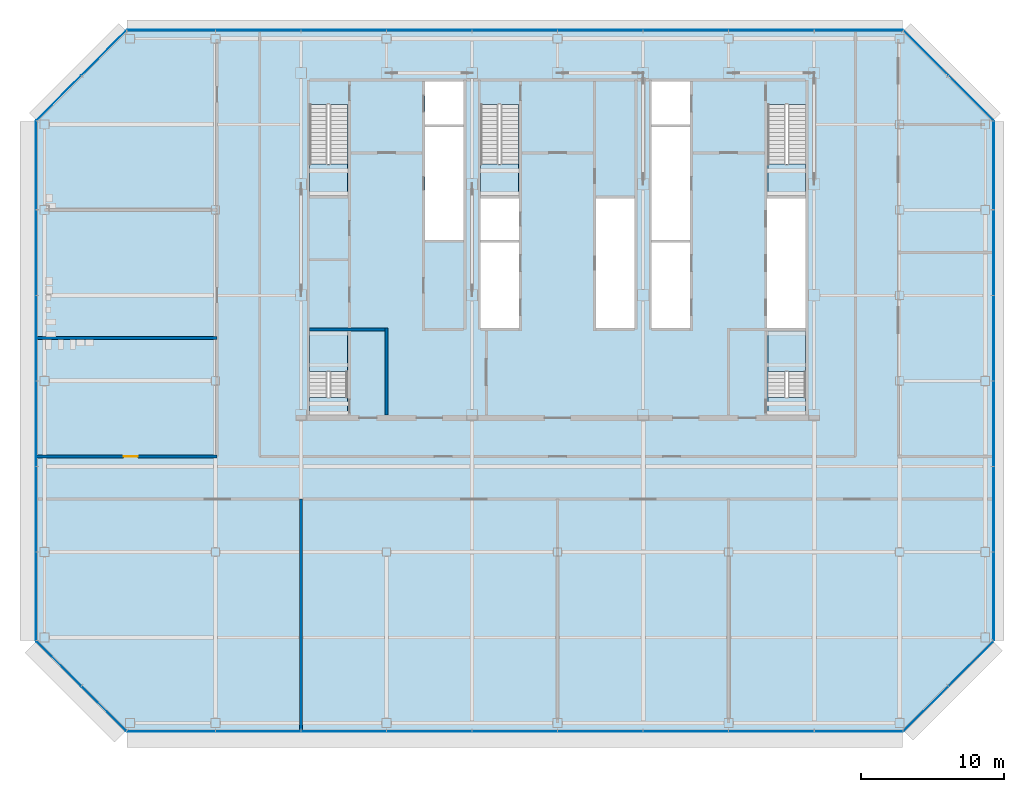
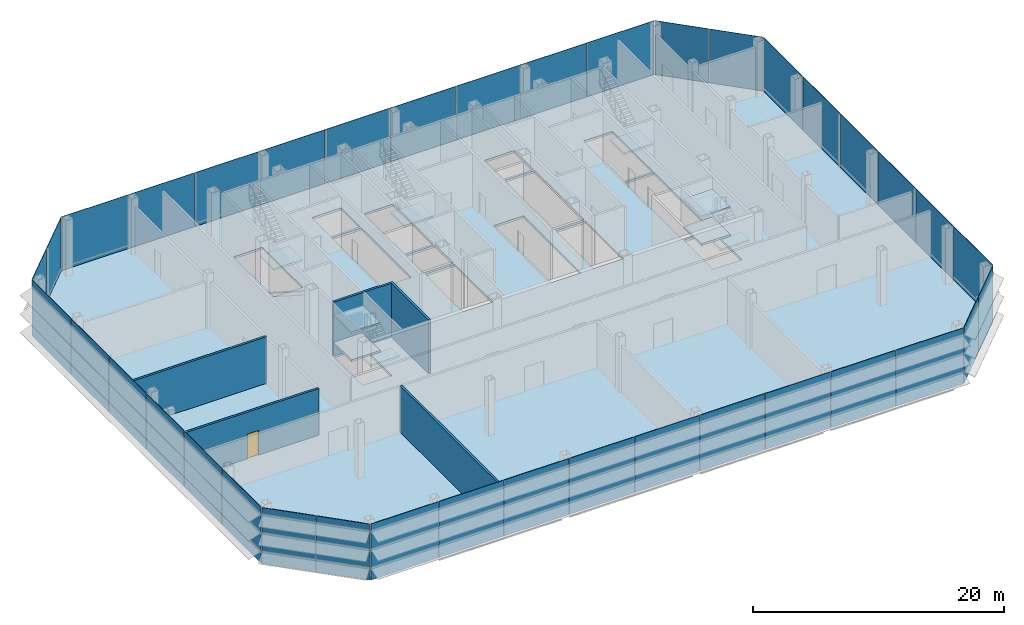
# One storey, part 17 of 25: 38 plates, 10 slabs, 5 walls, 1 door, 1 opening, 13 elements without a shape of their own.
"""IFC4 building model written with IfcOpenShell, lengths in metres."""

from ifc_helpers import new_model, si_unit, direction, frame, frame_2d, origin, origin_2d, place, context, subcontext, project, spatial, polyline, rectangle, outline, extrude, material, layer, layer_set, type_object, element, fill, aggregate, save


model = new_model("IFC4")

# Units and contexts
model_context = context("Model", 3, precision=1e-05, world=origin(), true_north=direction((0.0, 1.0)))
body_context = subcontext(model_context, "Body", "Model", "MODEL_VIEW")
ifc_project = project(units=[si_unit("LENGTHUNIT", "METRE"), si_unit("AREAUNIT", "SQUARE_METRE"), si_unit("VOLUMEUNIT", "CUBIC_METRE"), si_unit("PLANEANGLEUNIT", "RADIAN"), si_unit("MASSUNIT", "GRAM", prefix="KILO")], contexts=[model_context])

# Site, building, storey
site_placement = place(None, origin())
site = spatial("IfcSite", under=ifc_project, at=site_placement, CompositionType="ELEMENT")
building_placement = place(site_placement, origin())
building = spatial("IfcBuilding", under=site, at=building_placement, Name="Sorahane Residences", CompositionType="ELEMENT")
storey_placement = place(building_placement, frame((0.0, 0.0, 210.0)))
storey = spatial("IfcBuildingStorey", under=building, at=storey_placement, Name="L49", CompositionType="ELEMENT", Elevation=210.0)

# Slab
ifc_material_1 = material(Name="Concrete C35", Category="concrete")
ifc_layer_1 = layer(ifc_material_1, 0.219970703125)
ifc_layer_set_1 = layer_set([ifc_layer_1], Name="Composite floor slab 220 mm Concrete C35")
slab_type_1 = type_object("IfcSlabType", Name="Composite floor slab 220 mm Concrete C35", PredefinedType="FLOOR", material=ifc_layer_set_1)
slab_1_placement = place(storey_placement, frame((0.0, 0.0, -0.219970703125)))
element("IfcSlab", 1, at=slab_1_placement, inside=storey, type_object=slab_type_1, Name="Slab L49", PredefinedType="FLOOR", context=body_context, shape_type="SweptSolid", body=[
    extrude(outline(polyline([(-6.24853515625, -0.60009765625), (-12.60009765625, 5.75146484375), (-12.60009765625, 42.24853515625), (-6.24853515625, 48.60009765625), (48.24853515625, 48.60009765625), (54.60009765625, 42.24853515625), (54.60009765625, 5.75146484375), (48.24853515625, -0.60009765625), (-6.24853515625, -0.60009765625)]), holes=[polyline([(18.60009765625, 27.699951171875), (21.300048828125, 27.699951171875), (21.300048828125, 33.699951171875), (18.60009765625, 33.699951171875), (18.60009765625, 27.699951171875)]), polyline([(38.699951171875, 27.699951171875), (41.39990234375, 27.699951171875), (41.39990234375, 36.800048828125), (38.699951171875, 36.800048828125), (38.699951171875, 27.699951171875)]), polyline([(30.60009765625, 27.699951171875), (33.300048828125, 27.699951171875), (33.300048828125, 33.699951171875), (30.60009765625, 33.699951171875), (30.60009765625, 27.699951171875)]), polyline([(30.60009765625, 42.0), (33.300048828125, 42.0), (33.300048828125, 45.0), (30.60009765625, 45.0), (30.60009765625, 42.0)]), polyline([(14.699951171875, 42.0), (17.39990234375, 42.0), (17.39990234375, 45.0), (14.699951171875, 45.0), (14.699951171875, 42.0)]), polyline([(6.60009765625, 43.39990234375), (6.60009765625, 37.0), (9.25, 37.0), (9.25, 43.39990234375), (6.60009765625, 43.39990234375)]), polyline([(38.75, 43.39990234375), (38.75, 37.0), (41.39990234375, 37.0), (41.39990234375, 43.39990234375), (38.75, 43.39990234375)]), polyline([(18.60009765625, 43.39990234375), (18.60009765625, 37.0), (21.25, 37.0), (21.25, 43.39990234375), (18.60009765625, 43.39990234375)]), polyline([(9.25, 22.85009765625), (9.25, 27.5), (6.60009765625, 27.5), (6.60009765625, 22.85009765625), (9.25, 22.85009765625)]), polyline([(41.39990234375, 22.85009765625), (41.39990234375, 27.5), (38.75, 27.5), (38.75, 22.85009765625), (41.39990234375, 22.85009765625)]), polyline([(14.699951171875, 33.89990234375), (17.39990234375, 33.89990234375), (17.39990234375, 41.800048828125), (14.699951171875, 41.800048828125), (14.699951171875, 33.89990234375)]), polyline([(30.60009765625, 33.89990234375), (33.300048828125, 33.89990234375), (33.300048828125, 41.800048828125), (30.60009765625, 41.800048828125), (30.60009765625, 33.89990234375)]), polyline([(18.60009765625, 33.89990234375), (21.300048828125, 33.89990234375), (21.300048828125, 36.800048828125), (18.60009765625, 36.800048828125), (18.60009765625, 33.89990234375)]), polyline([(26.699951171875, 27.699951171875), (29.39990234375, 27.699951171875), (29.39990234375, 36.800048828125), (26.699951171875, 36.800048828125), (26.699951171875, 27.699951171875)])]), origin(), (0.0, 0.0, 1.0), 0.219970703125),
])

# Curtain wall, plates
ifc_material_2 = material(Name="Dark low-e glass and black anodised aluminium", Category="aluminium")
curtain_wall_type = type_object("IfcCurtainWallType", Name="Curtain wall CW-4 Sky floor frameless wall", PredefinedType="NOTDEFINED", material=ifc_material_2)
curtain_wall_1_placement = place(storey_placement, origin())
curtain_wall_1 = element("IfcCurtainWall", 2, at=curtain_wall_1_placement, inside=storey, type_object=curtain_wall_type, Name="CW-4 curtain wall L49 S1", PredefinedType="NOTDEFINED")
ifc_material_3 = material(Name="Dark low-e glass with black ceramic frit", Category="glass")
ifc_layer_2 = layer(ifc_material_3, 0.0400390625)
ifc_layer_set_2 = layer_set([ifc_layer_2], Name="Curtain wall glass panel dark low-e frameless with black frit band")
plate_type = type_object("IfcPlateType", Name="Curtain wall glass panel dark low-e frameless with black frit band", PredefinedType="CURTAIN_PANEL", material=ifc_layer_set_2)
plate_1_placement = place(storey_placement, frame((-3.11181640625, -0.60009765625, -0.219970703125), z_axis=(0.0, 0.0, 1.0), x_axis=(1.0, 0.0, 0.0)))
plate_1 = element("IfcPlate", 3, at=plate_1_placement, type_object=plate_type, Name="CW-4 glass panel L49 S1.1", PredefinedType="CURTAIN_PANEL", context=body_context, shape_type="SweptSolid", body=[
    extrude(rectangle(XDim=6.173583984375, YDim=0.0400390625, at=origin_2d()), origin(), (0.0, 0.0, 1.0), 5.43994140625),
])
plate_2_placement = place(storey_placement, frame((3.0, -0.60009765625, -0.219970703125), z_axis=(0.0, 0.0, 1.0), x_axis=(1.0, 0.0, 0.0)))
plate_2 = element("IfcPlate", 4, at=plate_2_placement, type_object=plate_type, Name="CW-4 glass panel L49 S1.2", PredefinedType="CURTAIN_PANEL", context=body_context, shape_type="SweptSolid", body=[
    extrude(rectangle(XDim=5.949951171875, YDim=0.0400390625, at=origin_2d()), origin(), (0.0, 0.0, 1.0), 5.43994140625),
])
plate_3_placement = place(storey_placement, frame((9.0, -0.60009765625, -0.219970703125), z_axis=(0.0, 0.0, 1.0), x_axis=(1.0, 0.0, 0.0)))
plate_3 = element("IfcPlate", 5, at=plate_3_placement, type_object=plate_type, Name="CW-4 glass panel L49 S1.3", PredefinedType="CURTAIN_PANEL", context=body_context, shape_type="SweptSolid", body=[
    extrude(rectangle(XDim=5.949951171875, YDim=0.0400390625, at=origin_2d()), origin(), (0.0, 0.0, 1.0), 5.43994140625),
])
plate_4_placement = place(storey_placement, frame((15.0, -0.60009765625, -0.219970703125), z_axis=(0.0, 0.0, 1.0), x_axis=(1.0, 0.0, 0.0)))
plate_4 = element("IfcPlate", 6, at=plate_4_placement, type_object=plate_type, Name="CW-4 glass panel L49 S1.4", PredefinedType="CURTAIN_PANEL", context=body_context, shape_type="SweptSolid", body=[
    extrude(rectangle(XDim=5.949951171875, YDim=0.0400390625, at=origin_2d()), origin(), (0.0, 0.0, 1.0), 5.43994140625),
])
plate_5_placement = place(storey_placement, frame((21.0, -0.60009765625, -0.219970703125), z_axis=(0.0, 0.0, 1.0), x_axis=(1.0, 0.0, 0.0)))
plate_5 = element("IfcPlate", 7, at=plate_5_placement, type_object=plate_type, Name="CW-4 glass panel L49 S1.5", PredefinedType="CURTAIN_PANEL", context=body_context, shape_type="SweptSolid", body=[
    extrude(rectangle(XDim=5.949951171875, YDim=0.0400390625, at=origin_2d()), origin(), (0.0, 0.0, 1.0), 5.43994140625),
])
plate_6_placement = place(storey_placement, frame((27.0, -0.60009765625, -0.219970703125), z_axis=(0.0, 0.0, 1.0), x_axis=(1.0, 0.0, 0.0)))
plate_6 = element("IfcPlate", 8, at=plate_6_placement, type_object=plate_type, Name="CW-4 glass panel L49 S1.6", PredefinedType="CURTAIN_PANEL", context=body_context, shape_type="SweptSolid", body=[
    extrude(rectangle(XDim=5.949951171875, YDim=0.0400390625, at=origin_2d()), origin(), (0.0, 0.0, 1.0), 5.43994140625),
])
plate_7_placement = place(storey_placement, frame((33.0, -0.60009765625, -0.219970703125), z_axis=(0.0, 0.0, 1.0), x_axis=(1.0, 0.0, 0.0)))
plate_7 = element("IfcPlate", 9, at=plate_7_placement, type_object=plate_type, Name="CW-4 glass panel L49 S1.7", PredefinedType="CURTAIN_PANEL", context=body_context, shape_type="SweptSolid", body=[
    extrude(rectangle(XDim=5.949951171875, YDim=0.0400390625, at=origin_2d()), origin(), (0.0, 0.0, 1.0), 5.43994140625),
])
plate_8_placement = place(storey_placement, frame((39.0, -0.60009765625, -0.219970703125), z_axis=(0.0, 0.0, 1.0), x_axis=(1.0, 0.0, 0.0)))
plate_8 = element("IfcPlate", 10, at=plate_8_placement, type_object=plate_type, Name="CW-4 glass panel L49 S1.8", PredefinedType="CURTAIN_PANEL", context=body_context, shape_type="SweptSolid", body=[
    extrude(rectangle(XDim=5.949951171875, YDim=0.0400390625, at=origin_2d()), origin(), (0.0, 0.0, 1.0), 5.43994140625),
])
plate_9_placement = place(storey_placement, frame((45.11181640625, -0.60009765625, -0.219970703125), z_axis=(0.0, 0.0, 1.0), x_axis=(1.0, 0.0, 0.0)))
plate_9 = element("IfcPlate", 11, at=plate_9_placement, type_object=plate_type, Name="CW-4 glass panel L49 S1.9", PredefinedType="CURTAIN_PANEL", context=body_context, shape_type="SweptSolid", body=[
    extrude(rectangle(XDim=6.173583984375, YDim=0.0400390625, at=origin_2d()), origin(), (0.0, 0.0, 1.0), 5.43994140625),
])
aggregate(curtain_wall_1, [plate_1, plate_2, plate_3, plate_4, plate_5, plate_6, plate_7, plate_8, plate_9])

curtain_wall_2_placement = place(storey_placement, origin())
curtain_wall_2 = element("IfcCurtainWall", 12, at=curtain_wall_2_placement, inside=storey, type_object=curtain_wall_type, Name="CW-4 curtain wall L49 SE1", PredefinedType="NOTDEFINED")
plate_10_placement = place(storey_placement, frame((49.84521484375, 0.996826171875, -0.219970703125), z_axis=(0.0, 0.0, 1.0), x_axis=(0.707106781187, 0.707106781187, 0.0)))
plate_10 = element("IfcPlate", 13, at=plate_10_placement, type_object=plate_type, Name="CW-4 glass panel L49 SE1.1", PredefinedType="CURTAIN_PANEL", context=body_context, shape_type="SweptSolid", body=[
    extrude(rectangle(XDim=4.416259765625, YDim=0.0400390625, at=origin_2d()), origin(), (0.0, 0.0, 1.0), 5.43994140625),
])
plate_11_placement = place(storey_placement, frame((53.003173828125, 4.15478515625, -0.219970703125), z_axis=(0.0, 0.0, 1.0), x_axis=(0.707106781187, 0.707106781187, 0.0)))
plate_11 = element("IfcPlate", 14, at=plate_11_placement, type_object=plate_type, Name="CW-4 glass panel L49 SE1.2", PredefinedType="CURTAIN_PANEL", context=body_context, shape_type="SweptSolid", body=[
    extrude(rectangle(XDim=4.416259765625, YDim=0.0400390625, at=origin_2d()), origin(), (0.0, 0.0, 1.0), 5.43994140625),
])
aggregate(curtain_wall_2, [plate_10, plate_11])

curtain_wall_3_placement = place(storey_placement, origin())
curtain_wall_3 = element("IfcCurtainWall", 15, at=curtain_wall_3_placement, inside=storey, type_object=curtain_wall_type, Name="CW-4 curtain wall L49 E1", PredefinedType="NOTDEFINED")
plate_12_placement = place(storey_placement, frame((54.60009765625, 8.88818359375, -0.219970703125), z_axis=(0.0, 0.0, 1.0), x_axis=(0.0, 1.0, 0.0)))
plate_12 = element("IfcPlate", 16, at=plate_12_placement, type_object=plate_type, Name="CW-4 glass panel L49 E1.1", PredefinedType="CURTAIN_PANEL", context=body_context, shape_type="SweptSolid", body=[
    extrude(rectangle(XDim=6.173583984375, YDim=0.0400390625, at=origin_2d()), origin(), (0.0, 0.0, 1.0), 5.43994140625),
])
plate_13_placement = place(storey_placement, frame((54.60009765625, 15.0, -0.219970703125), z_axis=(0.0, 0.0, 1.0), x_axis=(0.0, 1.0, 0.0)))
plate_13 = element("IfcPlate", 17, at=plate_13_placement, type_object=plate_type, Name="CW-4 glass panel L49 E1.2", PredefinedType="CURTAIN_PANEL", context=body_context, shape_type="SweptSolid", body=[
    extrude(rectangle(XDim=5.949951171875, YDim=0.0400390625, at=origin_2d()), origin(), (0.0, 0.0, 1.0), 5.43994140625),
])
plate_14_placement = place(storey_placement, frame((54.60009765625, 21.0, -0.219970703125), z_axis=(0.0, 0.0, 1.0), x_axis=(0.0, 1.0, 0.0)))
plate_14 = element("IfcPlate", 18, at=plate_14_placement, type_object=plate_type, Name="CW-4 glass panel L49 E1.3", PredefinedType="CURTAIN_PANEL", context=body_context, shape_type="SweptSolid", body=[
    extrude(rectangle(XDim=5.949951171875, YDim=0.0400390625, at=origin_2d()), origin(), (0.0, 0.0, 1.0), 5.43994140625),
])
plate_15_placement = place(storey_placement, frame((54.60009765625, 27.0, -0.219970703125), z_axis=(0.0, 0.0, 1.0), x_axis=(0.0, 1.0, 0.0)))
plate_15 = element("IfcPlate", 19, at=plate_15_placement, type_object=plate_type, Name="CW-4 glass panel L49 E1.4", PredefinedType="CURTAIN_PANEL", context=body_context, shape_type="SweptSolid", body=[
    extrude(rectangle(XDim=5.949951171875, YDim=0.0400390625, at=origin_2d()), origin(), (0.0, 0.0, 1.0), 5.43994140625),
])
plate_16_placement = place(storey_placement, frame((54.60009765625, 33.0, -0.219970703125), z_axis=(0.0, 0.0, 1.0), x_axis=(0.0, 1.0, 0.0)))
plate_16 = element("IfcPlate", 20, at=plate_16_placement, type_object=plate_type, Name="CW-4 glass panel L49 E1.5", PredefinedType="CURTAIN_PANEL", context=body_context, shape_type="SweptSolid", body=[
    extrude(rectangle(XDim=5.949951171875, YDim=0.0400390625, at=origin_2d()), origin(), (0.0, 0.0, 1.0), 5.43994140625),
])
plate_17_placement = place(storey_placement, frame((54.60009765625, 39.11181640625, -0.219970703125), z_axis=(0.0, 0.0, 1.0), x_axis=(0.0, 1.0, 0.0)))
plate_17 = element("IfcPlate", 21, at=plate_17_placement, type_object=plate_type, Name="CW-4 glass panel L49 E1.6", PredefinedType="CURTAIN_PANEL", context=body_context, shape_type="SweptSolid", body=[
    extrude(rectangle(XDim=6.173583984375, YDim=0.0400390625, at=origin_2d()), origin(), (0.0, 0.0, 1.0), 5.43994140625),
])
aggregate(curtain_wall_3, [plate_12, plate_13, plate_14, plate_15, plate_16, plate_17])

curtain_wall_4_placement = place(storey_placement, origin())
curtain_wall_4 = element("IfcCurtainWall", 22, at=curtain_wall_4_placement, inside=storey, type_object=curtain_wall_type, Name="CW-4 curtain wall L49 NE1", PredefinedType="NOTDEFINED")
plate_18_placement = place(storey_placement, frame((53.003173828125, 43.84521484375, -0.219970703125), z_axis=(0.0, 0.0, 1.0), x_axis=(-0.707106781187, 0.707106781187, 0.0)))
plate_18 = element("IfcPlate", 23, at=plate_18_placement, type_object=plate_type, Name="CW-4 glass panel L49 NE1.1", PredefinedType="CURTAIN_PANEL", context=body_context, shape_type="SweptSolid", body=[
    extrude(rectangle(XDim=4.416259765625, YDim=0.0400390625, at=origin_2d()), origin(), (0.0, 0.0, 1.0), 5.43994140625),
])
plate_19_placement = place(storey_placement, frame((49.84521484375, 47.003173828125, -0.219970703125), z_axis=(0.0, 0.0, 1.0), x_axis=(-0.707106781187, 0.707106781187, 0.0)))
plate_19 = element("IfcPlate", 24, at=plate_19_placement, type_object=plate_type, Name="CW-4 glass panel L49 NE1.2", PredefinedType="CURTAIN_PANEL", context=body_context, shape_type="SweptSolid", body=[
    extrude(rectangle(XDim=4.416259765625, YDim=0.0400390625, at=origin_2d()), origin(), (0.0, 0.0, 1.0), 5.43994140625),
])
aggregate(curtain_wall_4, [plate_18, plate_19])

curtain_wall_5_placement = place(storey_placement, origin())
curtain_wall_5 = element("IfcCurtainWall", 25, at=curtain_wall_5_placement, inside=storey, type_object=curtain_wall_type, Name="CW-4 curtain wall L49 N1", PredefinedType="NOTDEFINED")
plate_20_placement = place(storey_placement, frame((45.11181640625, 48.60009765625, -0.219970703125), z_axis=(0.0, 0.0, 1.0), x_axis=(-1.0, 0.0, 0.0)))
plate_20 = element("IfcPlate", 26, at=plate_20_placement, type_object=plate_type, Name="CW-4 glass panel L49 N1.1", PredefinedType="CURTAIN_PANEL", context=body_context, shape_type="SweptSolid", body=[
    extrude(rectangle(XDim=6.173583984375, YDim=0.0400390625, at=origin_2d()), origin(), (0.0, 0.0, 1.0), 5.43994140625),
])
plate_21_placement = place(storey_placement, frame((39.0, 48.60009765625, -0.219970703125), z_axis=(0.0, 0.0, 1.0), x_axis=(-1.0, 0.0, 0.0)))
plate_21 = element("IfcPlate", 27, at=plate_21_placement, type_object=plate_type, Name="CW-4 glass panel L49 N1.2", PredefinedType="CURTAIN_PANEL", context=body_context, shape_type="SweptSolid", body=[
    extrude(rectangle(XDim=5.949951171875, YDim=0.0400390625, at=origin_2d()), origin(), (0.0, 0.0, 1.0), 5.43994140625),
])
plate_22_placement = place(storey_placement, frame((33.0, 48.60009765625, -0.219970703125), z_axis=(0.0, 0.0, 1.0), x_axis=(-1.0, 0.0, 0.0)))
plate_22 = element("IfcPlate", 28, at=plate_22_placement, type_object=plate_type, Name="CW-4 glass panel L49 N1.3", PredefinedType="CURTAIN_PANEL", context=body_context, shape_type="SweptSolid", body=[
    extrude(rectangle(XDim=5.949951171875, YDim=0.0400390625, at=origin_2d()), origin(), (0.0, 0.0, 1.0), 5.43994140625),
])
plate_23_placement = place(storey_placement, frame((27.0, 48.60009765625, -0.219970703125), z_axis=(0.0, 0.0, 1.0), x_axis=(-1.0, 0.0, 0.0)))
plate_23 = element("IfcPlate", 29, at=plate_23_placement, type_object=plate_type, Name="CW-4 glass panel L49 N1.4", PredefinedType="CURTAIN_PANEL", context=body_context, shape_type="SweptSolid", body=[
    extrude(rectangle(XDim=5.949951171875, YDim=0.0400390625, at=origin_2d()), origin(), (0.0, 0.0, 1.0), 5.43994140625),
])
plate_24_placement = place(storey_placement, frame((21.0, 48.60009765625, -0.219970703125), z_axis=(0.0, 0.0, 1.0), x_axis=(-1.0, 0.0, 0.0)))
plate_24 = element("IfcPlate", 30, at=plate_24_placement, type_object=plate_type, Name="CW-4 glass panel L49 N1.5", PredefinedType="CURTAIN_PANEL", context=body_context, shape_type="SweptSolid", body=[
    extrude(rectangle(XDim=5.949951171875, YDim=0.0400390625, at=origin_2d()), origin(), (0.0, 0.0, 1.0), 5.43994140625),
])
plate_25_placement = place(storey_placement, frame((15.0, 48.60009765625, -0.219970703125), z_axis=(0.0, 0.0, 1.0), x_axis=(-1.0, 0.0, 0.0)))
plate_25 = element("IfcPlate", 31, at=plate_25_placement, type_object=plate_type, Name="CW-4 glass panel L49 N1.6", PredefinedType="CURTAIN_PANEL", context=body_context, shape_type="SweptSolid", body=[
    extrude(rectangle(XDim=5.949951171875, YDim=0.0400390625, at=origin_2d()), origin(), (0.0, 0.0, 1.0), 5.43994140625),
])
plate_26_placement = place(storey_placement, frame((9.0, 48.60009765625, -0.219970703125), z_axis=(0.0, 0.0, 1.0), x_axis=(-1.0, 0.0, 0.0)))
plate_26 = element("IfcPlate", 32, at=plate_26_placement, type_object=plate_type, Name="CW-4 glass panel L49 N1.7", PredefinedType="CURTAIN_PANEL", context=body_context, shape_type="SweptSolid", body=[
    extrude(rectangle(XDim=5.949951171875, YDim=0.0400390625, at=origin_2d()), origin(), (0.0, 0.0, 1.0), 5.43994140625),
])
plate_27_placement = place(storey_placement, frame((3.0, 48.60009765625, -0.219970703125), z_axis=(0.0, 0.0, 1.0), x_axis=(-1.0, 0.0, 0.0)))
plate_27 = element("IfcPlate", 33, at=plate_27_placement, type_object=plate_type, Name="CW-4 glass panel L49 N1.8", PredefinedType="CURTAIN_PANEL", context=body_context, shape_type="SweptSolid", body=[
    extrude(rectangle(XDim=5.949951171875, YDim=0.0400390625, at=origin_2d()), origin(), (0.0, 0.0, 1.0), 5.43994140625),
])
plate_28_placement = place(storey_placement, frame((-3.11181640625, 48.60009765625, -0.219970703125), z_axis=(0.0, 0.0, 1.0), x_axis=(-1.0, 0.0, 0.0)))
plate_28 = element("IfcPlate", 34, at=plate_28_placement, type_object=plate_type, Name="CW-4 glass panel L49 N1.9", PredefinedType="CURTAIN_PANEL", context=body_context, shape_type="SweptSolid", body=[
    extrude(rectangle(XDim=6.173583984375, YDim=0.0400390625, at=origin_2d()), origin(), (0.0, 0.0, 1.0), 5.43994140625),
])
aggregate(curtain_wall_5, [plate_20, plate_21, plate_22, plate_23, plate_24, plate_25, plate_26, plate_27, plate_28])

curtain_wall_6_placement = place(storey_placement, origin())
curtain_wall_6 = element("IfcCurtainWall", 35, at=curtain_wall_6_placement, inside=storey, type_object=curtain_wall_type, Name="CW-4 curtain wall L49 NW1", PredefinedType="NOTDEFINED")
plate_29_placement = place(storey_placement, frame((-7.84521484375, 47.003173828125, -0.219970703125), z_axis=(0.0, 0.0, 1.0), x_axis=(-0.707106781187, -0.707106781187, 0.0)))
plate_29 = element("IfcPlate", 36, at=plate_29_placement, type_object=plate_type, Name="CW-4 glass panel L49 NW1.1", PredefinedType="CURTAIN_PANEL", context=body_context, shape_type="SweptSolid", body=[
    extrude(rectangle(XDim=4.416259765625, YDim=0.0400390625, at=origin_2d()), origin(), (0.0, 0.0, 1.0), 5.43994140625),
])
plate_30_placement = place(storey_placement, frame((-11.003173828125, 43.84521484375, -0.219970703125), z_axis=(0.0, 0.0, 1.0), x_axis=(-0.707106781187, -0.707106781187, 0.0)))
plate_30 = element("IfcPlate", 37, at=plate_30_placement, type_object=plate_type, Name="CW-4 glass panel L49 NW1.2", PredefinedType="CURTAIN_PANEL", context=body_context, shape_type="SweptSolid", body=[
    extrude(rectangle(XDim=4.416259765625, YDim=0.0400390625, at=origin_2d()), origin(), (0.0, 0.0, 1.0), 5.43994140625),
])
aggregate(curtain_wall_6, [plate_29, plate_30])

curtain_wall_7_placement = place(storey_placement, origin())
curtain_wall_7 = element("IfcCurtainWall", 38, at=curtain_wall_7_placement, inside=storey, type_object=curtain_wall_type, Name="CW-4 curtain wall L49 W1", PredefinedType="NOTDEFINED")
plate_31_placement = place(storey_placement, frame((-12.60009765625, 39.11181640625, -0.219970703125), z_axis=(0.0, 0.0, 1.0), x_axis=(0.0, -1.0, 0.0)))
plate_31 = element("IfcPlate", 39, at=plate_31_placement, type_object=plate_type, Name="CW-4 glass panel L49 W1.1", PredefinedType="CURTAIN_PANEL", context=body_context, shape_type="SweptSolid", body=[
    extrude(rectangle(XDim=6.173583984375, YDim=0.0400390625, at=origin_2d()), origin(), (0.0, 0.0, 1.0), 5.43994140625),
])
plate_32_placement = place(storey_placement, frame((-12.60009765625, 33.0, -0.219970703125), z_axis=(0.0, 0.0, 1.0), x_axis=(0.0, -1.0, 0.0)))
plate_32 = element("IfcPlate", 40, at=plate_32_placement, type_object=plate_type, Name="CW-4 glass panel L49 W1.2", PredefinedType="CURTAIN_PANEL", context=body_context, shape_type="SweptSolid", body=[
    extrude(rectangle(XDim=5.949951171875, YDim=0.0400390625, at=origin_2d()), origin(), (0.0, 0.0, 1.0), 5.43994140625),
])
plate_33_placement = place(storey_placement, frame((-12.60009765625, 27.0, -0.219970703125), z_axis=(0.0, 0.0, 1.0), x_axis=(0.0, -1.0, 0.0)))
plate_33 = element("IfcPlate", 41, at=plate_33_placement, type_object=plate_type, Name="CW-4 glass panel L49 W1.3", PredefinedType="CURTAIN_PANEL", context=body_context, shape_type="SweptSolid", body=[
    extrude(rectangle(XDim=5.949951171875, YDim=0.0400390625, at=origin_2d()), origin(), (0.0, 0.0, 1.0), 5.43994140625),
])
plate_34_placement = place(storey_placement, frame((-12.60009765625, 21.0, -0.219970703125), z_axis=(0.0, 0.0, 1.0), x_axis=(0.0, -1.0, 0.0)))
plate_34 = element("IfcPlate", 42, at=plate_34_placement, type_object=plate_type, Name="CW-4 glass panel L49 W1.4", PredefinedType="CURTAIN_PANEL", context=body_context, shape_type="SweptSolid", body=[
    extrude(rectangle(XDim=5.949951171875, YDim=0.0400390625, at=origin_2d()), origin(), (0.0, 0.0, 1.0), 5.43994140625),
])
plate_35_placement = place(storey_placement, frame((-12.60009765625, 15.0, -0.219970703125), z_axis=(0.0, 0.0, 1.0), x_axis=(0.0, -1.0, 0.0)))
plate_35 = element("IfcPlate", 43, at=plate_35_placement, type_object=plate_type, Name="CW-4 glass panel L49 W1.5", PredefinedType="CURTAIN_PANEL", context=body_context, shape_type="SweptSolid", body=[
    extrude(rectangle(XDim=5.949951171875, YDim=0.0400390625, at=origin_2d()), origin(), (0.0, 0.0, 1.0), 5.43994140625),
])
plate_36_placement = place(storey_placement, frame((-12.60009765625, 8.88818359375, -0.219970703125), z_axis=(0.0, 0.0, 1.0), x_axis=(0.0, -1.0, 0.0)))
plate_36 = element("IfcPlate", 44, at=plate_36_placement, type_object=plate_type, Name="CW-4 glass panel L49 W1.6", PredefinedType="CURTAIN_PANEL", context=body_context, shape_type="SweptSolid", body=[
    extrude(rectangle(XDim=6.173583984375, YDim=0.0400390625, at=origin_2d()), origin(), (0.0, 0.0, 1.0), 5.43994140625),
])
aggregate(curtain_wall_7, [plate_31, plate_32, plate_33, plate_34, plate_35, plate_36])

curtain_wall_8_placement = place(storey_placement, origin())
curtain_wall_8 = element("IfcCurtainWall", 45, at=curtain_wall_8_placement, inside=storey, type_object=curtain_wall_type, Name="CW-4 curtain wall L49 SW1", PredefinedType="NOTDEFINED")
plate_37_placement = place(storey_placement, frame((-11.003173828125, 4.15478515625, -0.219970703125), z_axis=(0.0, 0.0, 1.0), x_axis=(0.707106781187, -0.707106781187, 0.0)))
plate_37 = element("IfcPlate", 46, at=plate_37_placement, type_object=plate_type, Name="CW-4 glass panel L49 SW1.1", PredefinedType="CURTAIN_PANEL", context=body_context, shape_type="SweptSolid", body=[
    extrude(rectangle(XDim=4.416259765625, YDim=0.0400390625, at=origin_2d()), origin(), (0.0, 0.0, 1.0), 5.43994140625),
])
plate_38_placement = place(storey_placement, frame((-7.84521484375, 0.996826171875, -0.219970703125), z_axis=(0.0, 0.0, 1.0), x_axis=(0.707106781187, -0.707106781187, 0.0)))
plate_38 = element("IfcPlate", 47, at=plate_38_placement, type_object=plate_type, Name="CW-4 glass panel L49 SW1.2", PredefinedType="CURTAIN_PANEL", context=body_context, shape_type="SweptSolid", body=[
    extrude(rectangle(XDim=4.416259765625, YDim=0.0400390625, at=origin_2d()), origin(), (0.0, 0.0, 1.0), 5.43994140625),
])
aggregate(curtain_wall_8, [plate_37, plate_38])

# Stair, slab
ifc_material_4 = material(Name="Concrete C40", Category="concrete")
stair_type = type_object("IfcStairType", Name="Dog-leg stair 1250 Concrete C40", PredefinedType="HALF_TURN_STAIR", material=ifc_material_4)
stair_1_placement = place(storey_placement, origin())
stair_1 = element("IfcStair", 48, at=stair_1_placement, inside=storey, type_object=stair_type, Name="L49 Stair S1", PredefinedType="HALF_TURN_STAIR")
ifc_material_5 = material(Name="Concrete C40", Category="concrete")
ifc_layer_3 = layer(ifc_material_5, 0.199951171875)
ifc_layer_set_3 = layer_set([ifc_layer_3], Name="Stair landing 200 Concrete C40")
slab_type_2 = type_object("IfcSlabType", Name="Stair landing 200 Concrete C40", PredefinedType="LANDING", material=ifc_layer_set_3)
slab_2_placement = place(storey_placement, frame((0.0, 0.0, 2.5)))
slab_2 = element("IfcSlab", 49, at=slab_2_placement, type_object=slab_type_2, Name="S1 landing 1", PredefinedType="LANDING", context=body_context, shape_type="SweptSolid", body=[
    extrude(outline(polyline([(6.60009765625, 39.199951171875), (6.60009765625, 37.0), (9.25, 37.0), (9.25, 39.199951171875), (6.60009765625, 39.199951171875)])), origin(), (0.0, 0.0, 1.0), 0.199951171875),
])
aggregate(stair_1, [slab_2])

stair_2_placement = place(storey_placement, origin())
stair_2 = element("IfcStair", 50, at=stair_2_placement, inside=storey, type_object=stair_type, Name="L49 Stair S2", PredefinedType="HALF_TURN_STAIR")
slab_3_placement = place(storey_placement, frame((0.0, 0.0, 2.5)))
slab_3 = element("IfcSlab", 51, at=slab_3_placement, type_object=slab_type_2, Name="S2 landing 1", PredefinedType="LANDING", context=body_context, shape_type="SweptSolid", body=[
    extrude(outline(polyline([(38.75, 39.199951171875), (38.75, 37.0), (41.39990234375, 37.0), (41.39990234375, 39.199951171875), (38.75, 39.199951171875)])), origin(), (0.0, 0.0, 1.0), 0.199951171875),
])
aggregate(stair_2, [slab_3])

stair_3_placement = place(storey_placement, origin())
stair_3 = element("IfcStair", 52, at=stair_3_placement, inside=storey, type_object=stair_type, Name="L49 Stair S3", PredefinedType="HALF_TURN_STAIR")
slab_4_placement = place(storey_placement, frame((0.0, 0.0, 2.5)))
slab_4 = element("IfcSlab", 53, at=slab_4_placement, type_object=slab_type_2, Name="S3 landing 1", PredefinedType="LANDING", context=body_context, shape_type="SweptSolid", body=[
    extrude(outline(polyline([(18.60009765625, 39.199951171875), (18.60009765625, 37.0), (21.25, 37.0), (21.25, 39.199951171875), (18.60009765625, 39.199951171875)])), origin(), (0.0, 0.0, 1.0), 0.199951171875),
])
aggregate(stair_3, [slab_4])

# Stair, slabs
stair_4_placement = place(storey_placement, origin())
stair_4 = element("IfcStair", 54, at=stair_4_placement, inside=storey, type_object=stair_type, Name="L49 Stair S4", PredefinedType="HALF_TURN_STAIR")
slab_5_placement = place(storey_placement, frame((0.0, 0.0, 1.14990234375)))
slab_5 = element("IfcSlab", 55, at=slab_5_placement, type_object=slab_type_2, Name="S4 landing 1", PredefinedType="LANDING", context=body_context, shape_type="SweptSolid", body=[
    extrude(outline(polyline([(9.25, 24.669921875), (9.25, 27.5), (6.60009765625, 27.5), (6.60009765625, 24.669921875), (9.25, 24.669921875)])), origin(), (0.0, 0.0, 1.0), 0.2001953125),
])
slab_6_placement = place(storey_placement, frame((0.0, 0.0, 2.5)))
slab_6 = element("IfcSlab", 56, at=slab_6_placement, type_object=slab_type_2, Name="S4 landing 2", PredefinedType="LANDING", context=body_context, shape_type="SweptSolid", body=[
    extrude(outline(polyline([(9.25, 21.60009765625), (9.25, 22.85009765625), (6.60009765625, 22.85009765625), (6.60009765625, 21.60009765625), (9.25, 21.60009765625)])), origin(), (0.0, 0.0, 1.0), 0.199951171875),
])
slab_7_placement = place(storey_placement, frame((0.0, 0.0, 3.85009765625)))
slab_7 = element("IfcSlab", 57, at=slab_7_placement, type_object=slab_type_2, Name="S4 landing 3", PredefinedType="LANDING", context=body_context, shape_type="SweptSolid", body=[
    extrude(outline(polyline([(9.25, 24.669921875), (9.25, 27.5), (6.60009765625, 27.5), (6.60009765625, 24.669921875), (9.25, 24.669921875)])), origin(), (0.0, 0.0, 1.0), 0.199951171875),
])
aggregate(stair_4, [slab_5, slab_6, slab_7])

stair_5_placement = place(storey_placement, origin())
stair_5 = element("IfcStair", 58, at=stair_5_placement, inside=storey, type_object=stair_type, Name="L49 Stair S5", PredefinedType="HALF_TURN_STAIR")
slab_8_placement = place(storey_placement, frame((0.0, 0.0, 1.14990234375)))
slab_8 = element("IfcSlab", 59, at=slab_8_placement, type_object=slab_type_2, Name="S5 landing 1", PredefinedType="LANDING", context=body_context, shape_type="SweptSolid", body=[
    extrude(outline(polyline([(41.39990234375, 24.669921875), (41.39990234375, 27.5), (38.75, 27.5), (38.75, 24.669921875), (41.39990234375, 24.669921875)])), origin(), (0.0, 0.0, 1.0), 0.2001953125),
])
slab_9_placement = place(storey_placement, frame((0.0, 0.0, 2.5)))
slab_9 = element("IfcSlab", 60, at=slab_9_placement, type_object=slab_type_2, Name="S5 landing 2", PredefinedType="LANDING", context=body_context, shape_type="SweptSolid", body=[
    extrude(outline(polyline([(41.39990234375, 21.60009765625), (41.39990234375, 22.85009765625), (38.75, 22.85009765625), (38.75, 21.60009765625), (41.39990234375, 21.60009765625)])), origin(), (0.0, 0.0, 1.0), 0.199951171875),
])
slab_10_placement = place(storey_placement, frame((0.0, 0.0, 3.85009765625)))
slab_10 = element("IfcSlab", 61, at=slab_10_placement, type_object=slab_type_2, Name="S5 landing 3", PredefinedType="LANDING", context=body_context, shape_type="SweptSolid", body=[
    extrude(outline(polyline([(41.39990234375, 24.669921875), (41.39990234375, 27.5), (38.75, 27.5), (38.75, 24.669921875), (41.39990234375, 24.669921875)])), origin(), (0.0, 0.0, 1.0), 0.199951171875),
])
aggregate(stair_5, [slab_8, slab_9, slab_10])

# Wall
ifc_material_6 = material(Name="Concrete blockwork C20 wall", Category="masonry")
ifc_layer_4 = layer(ifc_material_6, 0.199951171875)
ifc_layer_set_4 = layer_set([ifc_layer_4], Name="Corridor wall 200 EI 120")
wall_type_1 = type_object("IfcWallType", Name="Corridor wall 200 EI 120", PredefinedType="SOLIDWALL", material=ifc_layer_set_4)
wall_1_placement = place(storey_placement, frame((6.0, -0.60009765625, 0.0), z_axis=(0.0, 0.0, 1.0), x_axis=(0.0, 1.0, 0.0)))
element("IfcWall", 62, at=wall_1_placement, inside=storey, type_object=wall_type_1, Name="L49 corridor wall", PredefinedType="SOLIDWALL", context=body_context, shape_type="SweptSolid", body=[
    extrude(rectangle(XDim=16.300048828125, YDim=0.199951171875, at=frame_2d((8.14990234375, 0.0))), origin(), (0.0, 0.0, 1.0), 4.52001953125),
])

# Wall, opening, door
wall_2_placement = place(storey_placement, frame((-12.60009765625, 18.699951171875, 0.0), z_axis=(0.0, 0.0, 1.0), x_axis=(1.0, 0.0, 0.0)))
wall_2 = element("IfcWall", 63, at=wall_2_placement, inside=storey, type_object=wall_type_1, Name="L49 corridor wall", PredefinedType="SOLIDWALL", context=body_context, shape_type="SweptSolid", body=[
    extrude(rectangle(XDim=12.7001953125, YDim=0.199951171875, at=frame_2d((6.35009765625, 0.0))), origin(), (0.0, 0.0, 1.0), 4.52001953125),
])
opening_placement = place(wall_2_placement, frame((6.14990234375, 0.0, 0.0)))
opening = element("IfcOpeningElement", 64, at=opening_placement, cuts=wall_2, Name="Opening L49-05", PredefinedType="OPENING", context=body_context, shape_type="SweptSolid", body=[
    extrude(rectangle(XDim=1.0, YDim=2.39990234375, at=frame_2d((0.5, 1.199951171875))), frame((0.0, 0.10986328125, 0.0), z_axis=(0.0, -1.0, 0.0), x_axis=(1.0, 0.0, 0.0)), (0.0, 0.0, 1.0), 0.219970703125),
])
ifc_material_7 = material(Name="Timber veneered fire door", Category="wood")
door_type = type_object("IfcDoorType", Name="Room door 1000x2400 FD30", OperationType="NOTDEFINED", PredefinedType="DOOR", material=ifc_material_7)
door_placement = place(opening_placement, origin())
door = element("IfcDoor", 65, at=door_placement, inside=storey, type_object=door_type, Name="Room door L49-05", OperationType="SINGLE_SWING_RIGHT", OverallHeight=2.39990234375, OverallWidth=1.0, PredefinedType="DOOR", context=body_context, shape_type="SweptSolid", body=[
    extrude(rectangle(XDim=1.0, YDim=2.39990234375, at=frame_2d((0.5, 1.199951171875))), frame((0.0, 0.02490234375, 0.0), z_axis=(0.0, -1.0, 0.0), x_axis=(1.0, 0.0, 0.0)), (0.0, 0.0, 1.0), 0.050048828125),
])
fill(opening, door)

# Walls
wall_3_placement = place(storey_placement, frame((-12.60009765625, 27.0, 0.0), z_axis=(0.0, 0.0, 1.0), x_axis=(1.0, 0.0, 0.0)))
element("IfcWall", 66, at=wall_3_placement, inside=storey, type_object=wall_type_1, Name="L49 corridor wall", PredefinedType="SOLIDWALL", context=body_context, shape_type="SweptSolid", body=[
    extrude(rectangle(XDim=12.7001953125, YDim=0.199951171875, at=frame_2d((6.35009765625, 0.0))), origin(), (0.0, 0.0, 1.0), 4.52001953125),
])
ifc_material_8 = material(Name="Concrete C30", Category="concrete")
ifc_layer_5 = layer(ifc_material_8, 0.199951171875)
ifc_layer_set_5 = layer_set([ifc_layer_5], Name="Front room wall 200 EI 120")
wall_type_2 = type_object("IfcWallType", Name="Front room wall 200 EI 120", PredefinedType="PARTITIONING", material=ifc_layer_set_5)
wall_4_placement = place(storey_placement, frame((12.0, 21.60009765625, 0.0), z_axis=(0.0, 0.0, 1.0), x_axis=(0.0, 1.0, 0.0)))
element("IfcWall", 67, at=wall_4_placement, inside=storey, type_object=wall_type_2, Name="L49 front room wall", PredefinedType="PARTITIONING", context=body_context, shape_type="SweptSolid", body=[
    extrude(rectangle(XDim=6.099853515625, YDim=0.199951171875, at=frame_2d((3.0498046875, 0.0))), origin(), (0.0, 0.0, 1.0), 5.219970703125),
])
ifc_material_9 = material(Name="Concrete C30", Category="concrete")
ifc_layer_6 = layer(ifc_material_9, 0.199951171875)
ifc_layer_set_6 = layer_set([ifc_layer_6], Name="Stair enclosure wall 200 EI 120")
wall_type_3 = type_object("IfcWallType", Name="Stair enclosure wall 200 EI 120", PredefinedType="SOLIDWALL", material=ifc_layer_set_6)
wall_5_placement = place(storey_placement, frame((6.60009765625, 27.60009765625, 0.0), z_axis=(0.0, 0.0, 1.0), x_axis=(1.0, 0.0, 0.0)))
element("IfcWall", 68, at=wall_5_placement, inside=storey, type_object=wall_type_3, Name="L49 stair enclosure wall", PredefinedType="SOLIDWALL", context=body_context, shape_type="SweptSolid", body=[
    extrude(rectangle(XDim=5.2998046875, YDim=0.199951171875, at=frame_2d((2.64990234375, 0.0))), origin(), (0.0, 0.0, 1.0), 5.219970703125),
])

save(model, "model.ifc")
